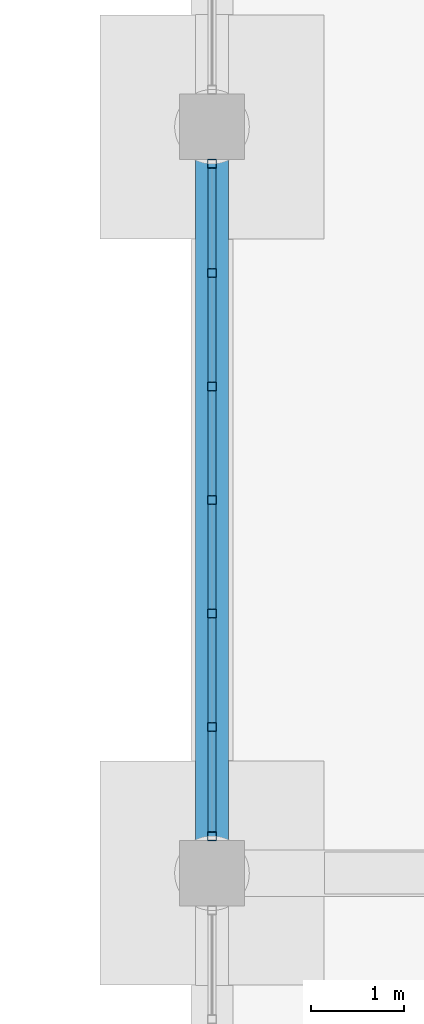
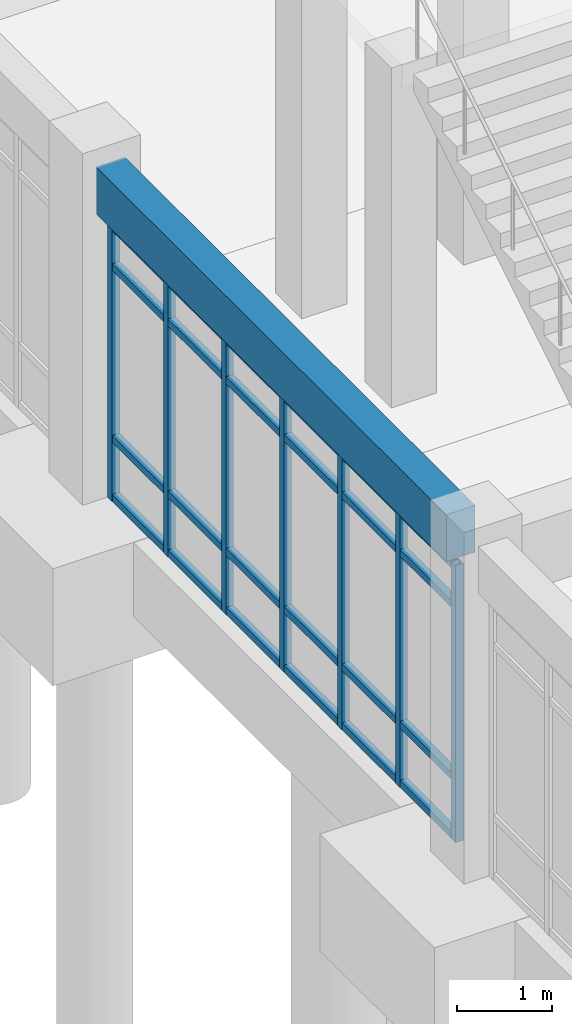
# One storey, part 95 of 153: 31 members, 1 beam, 1 element without a shape of its own.
"""IFC4 building model written with IfcOpenShell, lengths in metres."""

from ifc_helpers import new_model, si_unit, direction, frame, origin, origin_2d, place, context, subcontext, project, spatial, rectangle, hollow_rectangle, extrude, material, material_profile, profile_set, type_object, element, aggregate, save


model = new_model("IFC4")

# Units and contexts
model_context = context("Model", 3, precision=1e-05, world=origin(), true_north=direction((0.0, 1.0)))
body_context = subcontext(model_context, "Body", "Model", "MODEL_VIEW")
ifc_project = project(units=[si_unit("LENGTHUNIT", "METRE"), si_unit("AREAUNIT", "SQUARE_METRE"), si_unit("VOLUMEUNIT", "CUBIC_METRE"), si_unit("PLANEANGLEUNIT", "RADIAN"), si_unit("MASSUNIT", "GRAM", prefix="KILO")], contexts=[model_context])

# Site, building, storey
site_placement = place(None, origin())
site = spatial("IfcSite", under=ifc_project, at=site_placement, CompositionType="ELEMENT")
building_placement = place(site_placement, origin())
building = spatial("IfcBuilding", under=site, at=building_placement, Name="Celadon Cloister-Ring School", CompositionType="ELEMENT")
storey_placement = place(building_placement, origin())
storey = spatial("IfcBuildingStorey", under=building, at=storey_placement, Name="L00", CompositionType="ELEMENT", Elevation=0.0)

# Beam
ifc_material_1 = material(Name="Concrete C35/45", Category="concrete")
ifc_material_profile_1 = material_profile(ifc_material_1, rectangle(XDim=0.35009765625, YDim=0.60009765625, at=origin_2d()), Name="RC350X600")
ifc_profile_set_1 = profile_set([ifc_material_profile_1], Name="Concrete C35/45")
beam_type = type_object("IfcBeamType", Name="BT-02", PredefinedType="BEAM", material=ifc_profile_set_1)
beam_placement = place(storey_placement, frame((142.0, 82.324951171875, 3.9599609375), z_axis=(0.0, 1.0, 0.0), x_axis=(-1.0, 0.0, 0.0)))
element("IfcBeam", 1, at=beam_placement, inside=storey, type_object=beam_type, Name="Beam 1133", PredefinedType="BEAM", context=body_context, shape_type="SweptSolid", body=[
    extrude(rectangle(XDim=0.35009765625, YDim=0.60009765625, at=origin_2d()), origin(), (0.0, 0.0, 1.0), 7.35009765625),
])

# Curtain wall, members
ifc_material_2 = material(Name="Aluminium EN AW-6063 T6", Category="aluminium")
curtain_wall_type = type_object("IfcCurtainWallType", Name="CW-07", PredefinedType="USERDEFINED", material=ifc_material_2)
curtain_wall_placement = place(storey_placement, origin())
curtain_wall = element("IfcCurtainWall", 2, at=curtain_wall_placement, inside=storey, type_object=curtain_wall_type, Name="Curtain Wall 0176", ObjectType="CURTAIN WALL", PredefinedType="USERDEFINED")
ifc_material_3 = material(Name="Aluminium EN AW-6063 T6", Category="aluminium")
ifc_material_profile_2 = material_profile(ifc_material_3, hollow_rectangle(XDim=0.094970703125, YDim=0.094970703125, WallThickness=0.00390625, at=origin_2d()), Name="RHS95X95X4")
ifc_profile_set_2 = profile_set([ifc_material_profile_2], Name="Aluminium EN AW-6063 T6")
member_type_1 = type_object("IfcMemberType", Name="CM-02", PredefinedType="MULLION", material=ifc_profile_set_2)
member_1_placement = place(storey_placement, frame((142.0, 82.3974609375, 0.0), z_axis=(0.0, 0.0, 1.0), x_axis=(-1.0, 0.0, 0.0)))
member_1 = element("IfcMember", 3, at=member_1_placement, type_object=member_type_1, Name="CW-07 mullion 1", PredefinedType="MULLION", context=body_context, shape_type="SweptSolid", body=[
    extrude(hollow_rectangle(XDim=0.094970703125, YDim=0.094970703125, WallThickness=0.00390625, at=origin_2d()), origin(), (0.0, 0.0, 1.0), 3.550048828125),
])
member_2_placement = place(storey_placement, frame((142.0, 83.566650390625, 0.0), z_axis=(0.0, 0.0, 1.0), x_axis=(-1.0, 0.0, 0.0)))
member_2 = element("IfcMember", 4, at=member_2_placement, type_object=member_type_1, Name="CW-07 mullion 2", PredefinedType="MULLION", context=body_context, shape_type="SweptSolid", body=[
    extrude(hollow_rectangle(XDim=0.094970703125, YDim=0.094970703125, WallThickness=0.00390625, at=origin_2d()), origin(), (0.0, 0.0, 1.0), 3.550048828125),
])
member_3_placement = place(storey_placement, frame((142.0, 84.783447265625, 0.0), z_axis=(0.0, 0.0, 1.0), x_axis=(-1.0, 0.0, 0.0)))
member_3 = element("IfcMember", 5, at=member_3_placement, type_object=member_type_1, Name="CW-07 mullion 3", PredefinedType="MULLION", context=body_context, shape_type="SweptSolid", body=[
    extrude(hollow_rectangle(XDim=0.094970703125, YDim=0.094970703125, WallThickness=0.00390625, at=origin_2d()), origin(), (0.0, 0.0, 1.0), 3.550048828125),
])
member_4_placement = place(storey_placement, frame((142.0, 86.0, 0.0), z_axis=(0.0, 0.0, 1.0), x_axis=(-1.0, 0.0, 0.0)))
member_4 = element("IfcMember", 6, at=member_4_placement, type_object=member_type_1, Name="CW-07 mullion 4", PredefinedType="MULLION", context=body_context, shape_type="SweptSolid", body=[
    extrude(hollow_rectangle(XDim=0.094970703125, YDim=0.094970703125, WallThickness=0.00390625, at=origin_2d()), origin(), (0.0, 0.0, 1.0), 3.550048828125),
])
member_5_placement = place(storey_placement, frame((142.0, 87.216552734375, 0.0), z_axis=(0.0, 0.0, 1.0), x_axis=(-1.0, 0.0, 0.0)))
member_5 = element("IfcMember", 7, at=member_5_placement, type_object=member_type_1, Name="CW-07 mullion 5", PredefinedType="MULLION", context=body_context, shape_type="SweptSolid", body=[
    extrude(hollow_rectangle(XDim=0.094970703125, YDim=0.094970703125, WallThickness=0.00390625, at=origin_2d()), origin(), (0.0, 0.0, 1.0), 3.550048828125),
])
member_6_placement = place(storey_placement, frame((142.0, 88.433349609375, 0.0), z_axis=(0.0, 0.0, 1.0), x_axis=(-1.0, 0.0, 0.0)))
member_6 = element("IfcMember", 8, at=member_6_placement, type_object=member_type_1, Name="CW-07 mullion 6", PredefinedType="MULLION", context=body_context, shape_type="SweptSolid", body=[
    extrude(hollow_rectangle(XDim=0.094970703125, YDim=0.094970703125, WallThickness=0.00390625, at=origin_2d()), origin(), (0.0, 0.0, 1.0), 3.550048828125),
])
member_7_placement = place(storey_placement, frame((142.0, 89.6025390625, 0.0), z_axis=(0.0, 0.0, 1.0), x_axis=(-1.0, 0.0, 0.0)))
member_7 = element("IfcMember", 9, at=member_7_placement, type_object=member_type_1, Name="CW-07 mullion 7", PredefinedType="MULLION", context=body_context, shape_type="SweptSolid", body=[
    extrude(hollow_rectangle(XDim=0.094970703125, YDim=0.094970703125, WallThickness=0.00390625, at=origin_2d()), origin(), (0.0, 0.0, 1.0), 3.550048828125),
])
ifc_material_4 = material(Name="Aluminium EN AW-6063 T6", Category="aluminium")
ifc_material_profile_3 = material_profile(ifc_material_4, hollow_rectangle(XDim=0.090087890625, YDim=0.090087890625, WallThickness=0.00390625, at=origin_2d()), Name="RHS90X90X4")
ifc_profile_set_3 = profile_set([ifc_material_profile_3], Name="Aluminium EN AW-6063 T6")
member_type_2 = type_object("IfcMemberType", Name="CTM-02", PredefinedType="USERDEFINED", material=ifc_profile_set_3)
member_8_placement = place(storey_placement, frame((142.0, 82.445068359375, 0.044921875), z_axis=(0.0, 1.0, 0.0), x_axis=(-1.0, 0.0, 0.0)))
member_8 = element("IfcMember", 10, at=member_8_placement, type_object=member_type_2, Name="CW-07 transom 1.1", ObjectType="TRANSOM", PredefinedType="USERDEFINED", context=body_context, shape_type="SweptSolid", body=[
    extrude(hollow_rectangle(XDim=0.090087890625, YDim=0.090087890625, WallThickness=0.00390625, at=origin_2d()), origin(), (0.0, 0.0, 1.0), 1.07421875),
])
member_9_placement = place(storey_placement, frame((142.0, 82.445068359375, 0.800048828125), z_axis=(0.0, 1.0, 0.0), x_axis=(-1.0, 0.0, 0.0)))
member_9 = element("IfcMember", 11, at=member_9_placement, type_object=member_type_2, Name="CW-07 transom 1.2", ObjectType="TRANSOM", PredefinedType="USERDEFINED", context=body_context, shape_type="SweptSolid", body=[
    extrude(hollow_rectangle(XDim=0.090087890625, YDim=0.090087890625, WallThickness=0.00390625, at=origin_2d()), origin(), (0.0, 0.0, 1.0), 1.07421875),
])
member_10_placement = place(storey_placement, frame((142.0, 82.445068359375, 3.0), z_axis=(0.0, 1.0, 0.0), x_axis=(-1.0, 0.0, 0.0)))
member_10 = element("IfcMember", 12, at=member_10_placement, type_object=member_type_2, Name="CW-07 transom 1.3", ObjectType="TRANSOM", PredefinedType="USERDEFINED", context=body_context, shape_type="SweptSolid", body=[
    extrude(hollow_rectangle(XDim=0.090087890625, YDim=0.090087890625, WallThickness=0.00390625, at=origin_2d()), origin(), (0.0, 0.0, 1.0), 1.07421875),
])
member_11_placement = place(storey_placement, frame((142.0, 82.445068359375, 3.5048828125), z_axis=(0.0, 1.0, 0.0), x_axis=(-1.0, 0.0, 0.0)))
member_11 = element("IfcMember", 13, at=member_11_placement, type_object=member_type_2, Name="CW-07 transom 1.4", ObjectType="TRANSOM", PredefinedType="USERDEFINED", context=body_context, shape_type="SweptSolid", body=[
    extrude(hollow_rectangle(XDim=0.090087890625, YDim=0.090087890625, WallThickness=0.00390625, at=origin_2d()), origin(), (0.0, 0.0, 1.0), 1.07421875),
])
member_12_placement = place(storey_placement, frame((142.0, 83.6142578125, 0.044921875), z_axis=(0.0, 1.0, 0.0), x_axis=(-1.0, 0.0, 0.0)))
member_12 = element("IfcMember", 14, at=member_12_placement, type_object=member_type_2, Name="CW-07 transom 2.1", ObjectType="TRANSOM", PredefinedType="USERDEFINED", context=body_context, shape_type="SweptSolid", body=[
    extrude(hollow_rectangle(XDim=0.090087890625, YDim=0.090087890625, WallThickness=0.00390625, at=origin_2d()), origin(), (0.0, 0.0, 1.0), 1.12158203125),
])
member_13_placement = place(storey_placement, frame((142.0, 83.6142578125, 0.800048828125), z_axis=(0.0, 1.0, 0.0), x_axis=(-1.0, 0.0, 0.0)))
member_13 = element("IfcMember", 15, at=member_13_placement, type_object=member_type_2, Name="CW-07 transom 2.2", ObjectType="TRANSOM", PredefinedType="USERDEFINED", context=body_context, shape_type="SweptSolid", body=[
    extrude(hollow_rectangle(XDim=0.090087890625, YDim=0.090087890625, WallThickness=0.00390625, at=origin_2d()), origin(), (0.0, 0.0, 1.0), 1.12158203125),
])
member_14_placement = place(storey_placement, frame((142.0, 83.6142578125, 3.0), z_axis=(0.0, 1.0, 0.0), x_axis=(-1.0, 0.0, 0.0)))
member_14 = element("IfcMember", 16, at=member_14_placement, type_object=member_type_2, Name="CW-07 transom 2.3", ObjectType="TRANSOM", PredefinedType="USERDEFINED", context=body_context, shape_type="SweptSolid", body=[
    extrude(hollow_rectangle(XDim=0.090087890625, YDim=0.090087890625, WallThickness=0.00390625, at=origin_2d()), origin(), (0.0, 0.0, 1.0), 1.12158203125),
])
member_15_placement = place(storey_placement, frame((142.0, 83.6142578125, 3.5048828125), z_axis=(0.0, 1.0, 0.0), x_axis=(-1.0, 0.0, 0.0)))
member_15 = element("IfcMember", 17, at=member_15_placement, type_object=member_type_2, Name="CW-07 transom 2.4", ObjectType="TRANSOM", PredefinedType="USERDEFINED", context=body_context, shape_type="SweptSolid", body=[
    extrude(hollow_rectangle(XDim=0.090087890625, YDim=0.090087890625, WallThickness=0.00390625, at=origin_2d()), origin(), (0.0, 0.0, 1.0), 1.12158203125),
])
member_16_placement = place(storey_placement, frame((142.0, 84.830810546875, 0.044921875), z_axis=(0.0, 1.0, 0.0), x_axis=(-1.0, 0.0, 0.0)))
member_16 = element("IfcMember", 18, at=member_16_placement, type_object=member_type_2, Name="CW-07 transom 3.1", ObjectType="TRANSOM", PredefinedType="USERDEFINED", context=body_context, shape_type="SweptSolid", body=[
    extrude(hollow_rectangle(XDim=0.090087890625, YDim=0.090087890625, WallThickness=0.00390625, at=origin_2d()), origin(), (0.0, 0.0, 1.0), 1.12158203125),
])
member_17_placement = place(storey_placement, frame((142.0, 84.830810546875, 0.800048828125), z_axis=(0.0, 1.0, 0.0), x_axis=(-1.0, 0.0, 0.0)))
member_17 = element("IfcMember", 19, at=member_17_placement, type_object=member_type_2, Name="CW-07 transom 3.2", ObjectType="TRANSOM", PredefinedType="USERDEFINED", context=body_context, shape_type="SweptSolid", body=[
    extrude(hollow_rectangle(XDim=0.090087890625, YDim=0.090087890625, WallThickness=0.00390625, at=origin_2d()), origin(), (0.0, 0.0, 1.0), 1.12158203125),
])
member_18_placement = place(storey_placement, frame((142.0, 84.830810546875, 3.0), z_axis=(0.0, 1.0, 0.0), x_axis=(-1.0, 0.0, 0.0)))
member_18 = element("IfcMember", 20, at=member_18_placement, type_object=member_type_2, Name="CW-07 transom 3.3", ObjectType="TRANSOM", PredefinedType="USERDEFINED", context=body_context, shape_type="SweptSolid", body=[
    extrude(hollow_rectangle(XDim=0.090087890625, YDim=0.090087890625, WallThickness=0.00390625, at=origin_2d()), origin(), (0.0, 0.0, 1.0), 1.12158203125),
])
member_19_placement = place(storey_placement, frame((142.0, 84.830810546875, 3.5048828125), z_axis=(0.0, 1.0, 0.0), x_axis=(-1.0, 0.0, 0.0)))
member_19 = element("IfcMember", 21, at=member_19_placement, type_object=member_type_2, Name="CW-07 transom 3.4", ObjectType="TRANSOM", PredefinedType="USERDEFINED", context=body_context, shape_type="SweptSolid", body=[
    extrude(hollow_rectangle(XDim=0.090087890625, YDim=0.090087890625, WallThickness=0.00390625, at=origin_2d()), origin(), (0.0, 0.0, 1.0), 1.12158203125),
])
member_20_placement = place(storey_placement, frame((142.0, 86.047607421875, 0.044921875), z_axis=(0.0, 1.0, 0.0), x_axis=(-1.0, 0.0, 0.0)))
member_20 = element("IfcMember", 22, at=member_20_placement, type_object=member_type_2, Name="CW-07 transom 4.1", ObjectType="TRANSOM", PredefinedType="USERDEFINED", context=body_context, shape_type="SweptSolid", body=[
    extrude(hollow_rectangle(XDim=0.090087890625, YDim=0.090087890625, WallThickness=0.00390625, at=origin_2d()), origin(), (0.0, 0.0, 1.0), 1.12158203125),
])
member_21_placement = place(storey_placement, frame((142.0, 86.047607421875, 0.800048828125), z_axis=(0.0, 1.0, 0.0), x_axis=(-1.0, 0.0, 0.0)))
member_21 = element("IfcMember", 23, at=member_21_placement, type_object=member_type_2, Name="CW-07 transom 4.2", ObjectType="TRANSOM", PredefinedType="USERDEFINED", context=body_context, shape_type="SweptSolid", body=[
    extrude(hollow_rectangle(XDim=0.090087890625, YDim=0.090087890625, WallThickness=0.00390625, at=origin_2d()), origin(), (0.0, 0.0, 1.0), 1.12158203125),
])
member_22_placement = place(storey_placement, frame((142.0, 86.047607421875, 3.0), z_axis=(0.0, 1.0, 0.0), x_axis=(-1.0, 0.0, 0.0)))
member_22 = element("IfcMember", 24, at=member_22_placement, type_object=member_type_2, Name="CW-07 transom 4.3", ObjectType="TRANSOM", PredefinedType="USERDEFINED", context=body_context, shape_type="SweptSolid", body=[
    extrude(hollow_rectangle(XDim=0.090087890625, YDim=0.090087890625, WallThickness=0.00390625, at=origin_2d()), origin(), (0.0, 0.0, 1.0), 1.12158203125),
])
member_23_placement = place(storey_placement, frame((142.0, 86.047607421875, 3.5048828125), z_axis=(0.0, 1.0, 0.0), x_axis=(-1.0, 0.0, 0.0)))
member_23 = element("IfcMember", 25, at=member_23_placement, type_object=member_type_2, Name="CW-07 transom 4.4", ObjectType="TRANSOM", PredefinedType="USERDEFINED", context=body_context, shape_type="SweptSolid", body=[
    extrude(hollow_rectangle(XDim=0.090087890625, YDim=0.090087890625, WallThickness=0.00390625, at=origin_2d()), origin(), (0.0, 0.0, 1.0), 1.12158203125),
])
member_24_placement = place(storey_placement, frame((142.0, 87.26416015625, 0.044921875), z_axis=(0.0, 1.0, 0.0), x_axis=(-1.0, 0.0, 0.0)))
member_24 = element("IfcMember", 26, at=member_24_placement, type_object=member_type_2, Name="CW-07 transom 5.1", ObjectType="TRANSOM", PredefinedType="USERDEFINED", context=body_context, shape_type="SweptSolid", body=[
    extrude(hollow_rectangle(XDim=0.090087890625, YDim=0.090087890625, WallThickness=0.00390625, at=origin_2d()), origin(), (0.0, 0.0, 1.0), 1.12158203125),
])
member_25_placement = place(storey_placement, frame((142.0, 87.26416015625, 0.800048828125), z_axis=(0.0, 1.0, 0.0), x_axis=(-1.0, 0.0, 0.0)))
member_25 = element("IfcMember", 27, at=member_25_placement, type_object=member_type_2, Name="CW-07 transom 5.2", ObjectType="TRANSOM", PredefinedType="USERDEFINED", context=body_context, shape_type="SweptSolid", body=[
    extrude(hollow_rectangle(XDim=0.090087890625, YDim=0.090087890625, WallThickness=0.00390625, at=origin_2d()), origin(), (0.0, 0.0, 1.0), 1.12158203125),
])
member_26_placement = place(storey_placement, frame((142.0, 87.26416015625, 3.0), z_axis=(0.0, 1.0, 0.0), x_axis=(-1.0, 0.0, 0.0)))
member_26 = element("IfcMember", 28, at=member_26_placement, type_object=member_type_2, Name="CW-07 transom 5.3", ObjectType="TRANSOM", PredefinedType="USERDEFINED", context=body_context, shape_type="SweptSolid", body=[
    extrude(hollow_rectangle(XDim=0.090087890625, YDim=0.090087890625, WallThickness=0.00390625, at=origin_2d()), origin(), (0.0, 0.0, 1.0), 1.12158203125),
])
member_27_placement = place(storey_placement, frame((142.0, 87.26416015625, 3.5048828125), z_axis=(0.0, 1.0, 0.0), x_axis=(-1.0, 0.0, 0.0)))
member_27 = element("IfcMember", 29, at=member_27_placement, type_object=member_type_2, Name="CW-07 transom 5.4", ObjectType="TRANSOM", PredefinedType="USERDEFINED", context=body_context, shape_type="SweptSolid", body=[
    extrude(hollow_rectangle(XDim=0.090087890625, YDim=0.090087890625, WallThickness=0.00390625, at=origin_2d()), origin(), (0.0, 0.0, 1.0), 1.12158203125),
])
member_28_placement = place(storey_placement, frame((142.0, 88.480712890625, 0.044921875), z_axis=(0.0, 1.0, 0.0), x_axis=(-1.0, 0.0, 0.0)))
member_28 = element("IfcMember", 30, at=member_28_placement, type_object=member_type_2, Name="CW-07 transom 6.1", ObjectType="TRANSOM", PredefinedType="USERDEFINED", context=body_context, shape_type="SweptSolid", body=[
    extrude(hollow_rectangle(XDim=0.090087890625, YDim=0.090087890625, WallThickness=0.00390625, at=origin_2d()), origin(), (0.0, 0.0, 1.0), 1.07421875),
])
member_29_placement = place(storey_placement, frame((142.0, 88.480712890625, 0.800048828125), z_axis=(0.0, 1.0, 0.0), x_axis=(-1.0, 0.0, 0.0)))
member_29 = element("IfcMember", 31, at=member_29_placement, type_object=member_type_2, Name="CW-07 transom 6.2", ObjectType="TRANSOM", PredefinedType="USERDEFINED", context=body_context, shape_type="SweptSolid", body=[
    extrude(hollow_rectangle(XDim=0.090087890625, YDim=0.090087890625, WallThickness=0.00390625, at=origin_2d()), origin(), (0.0, 0.0, 1.0), 1.07421875),
])
member_30_placement = place(storey_placement, frame((142.0, 88.480712890625, 3.0), z_axis=(0.0, 1.0, 0.0), x_axis=(-1.0, 0.0, 0.0)))
member_30 = element("IfcMember", 32, at=member_30_placement, type_object=member_type_2, Name="CW-07 transom 6.3", ObjectType="TRANSOM", PredefinedType="USERDEFINED", context=body_context, shape_type="SweptSolid", body=[
    extrude(hollow_rectangle(XDim=0.090087890625, YDim=0.090087890625, WallThickness=0.00390625, at=origin_2d()), origin(), (0.0, 0.0, 1.0), 1.07421875),
])
member_31_placement = place(storey_placement, frame((142.0, 88.480712890625, 3.5048828125), z_axis=(0.0, 1.0, 0.0), x_axis=(-1.0, 0.0, 0.0)))
member_31 = element("IfcMember", 33, at=member_31_placement, type_object=member_type_2, Name="CW-07 transom 6.4", ObjectType="TRANSOM", PredefinedType="USERDEFINED", context=body_context, shape_type="SweptSolid", body=[
    extrude(hollow_rectangle(XDim=0.090087890625, YDim=0.090087890625, WallThickness=0.00390625, at=origin_2d()), origin(), (0.0, 0.0, 1.0), 1.07421875),
])
aggregate(curtain_wall, [member_1, member_2, member_3, member_4, member_5, member_6, member_7, member_8, member_9, member_10, member_11, member_12, member_13, member_14, member_15, member_16, member_17, member_18, member_19, member_20, member_21, member_22, member_23, member_24, member_25, member_26, member_27, member_28, member_29, member_30, member_31])

save(model, "model.ifc")
